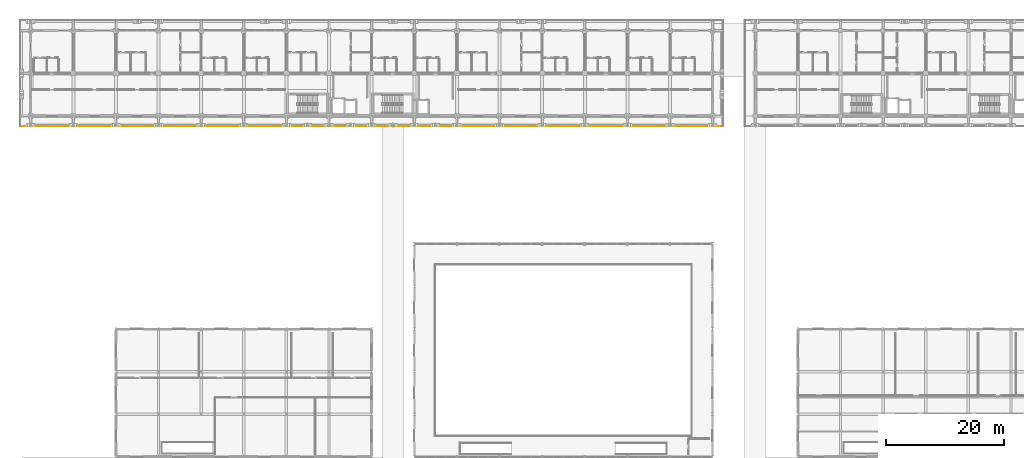
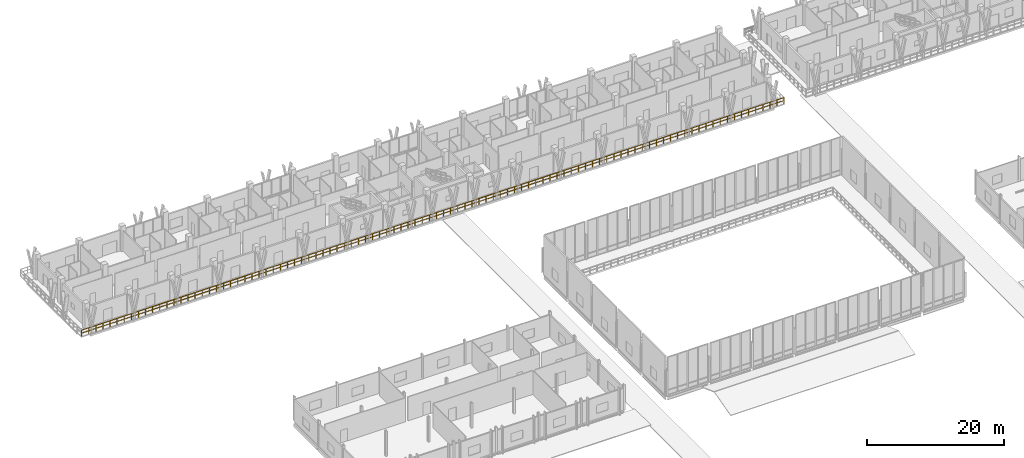
# One storey, part 99 of 110: 1 railing.
"""IFC4 building model written with IfcOpenShell, lengths in metres."""

from ifc_helpers import new_model, si_unit, direction, frame, origin, origin_2d, place, context, subcontext, project, spatial, rectangle, extrude, material, type_object, element, save


model = new_model("IFC4")

# Units and contexts
model_context = context("Model", 3, precision=1e-05, world=origin(), true_north=direction((0.0, 1.0)))
body_context = subcontext(model_context, "Body", "Model", "MODEL_VIEW")
ifc_project = project(units=[si_unit("LENGTHUNIT", "METRE"), si_unit("AREAUNIT", "SQUARE_METRE"), si_unit("VOLUMEUNIT", "CUBIC_METRE"), si_unit("PLANEANGLEUNIT", "RADIAN"), si_unit("MASSUNIT", "GRAM", prefix="KILO")], contexts=[model_context])

# Site, building, storey
site_placement = place(None, origin())
site = spatial("IfcSite", under=ifc_project, at=site_placement, CompositionType="ELEMENT")
building_placement = place(site_placement, origin())
building = spatial("IfcBuilding", under=site, at=building_placement, Name="Suanplinth Sawtooth Commons", CompositionType="ELEMENT")
storey_placement = place(building_placement, frame((0.0, 0.0, 4.5)))
storey = spatial("IfcBuildingStorey", under=building, at=storey_placement, Name="L01", CompositionType="ELEMENT", Elevation=4.5)

# Railing
ifc_material = material(Name="Powder-coated galvanized steel", Category="steel")
railing_type = type_object("IfcRailingType", Name="GR-01", PredefinedType="BALUSTRADE", material=ifc_material)
railing_placement = place(storey_placement, frame((116.93994140625, 106.260009765625, 0.0)))
element("IfcRailing", 1, at=railing_placement, inside=storey, type_object=railing_type, Name="L01 Block A Perimeter Balustrade 4", PredefinedType="BALUSTRADE", context=body_context, shape_type="SweptSolid", body=[
    extrude(rectangle(XDim=0.048095703125, YDim=0.048095703125, at=origin_2d()), frame((0.0, 0.0, 1.09619140625), z_axis=(-1.0, 0.0, 0.0), x_axis=(0.0, -1.0, 0.0)), (0.0, 0.0, 1.0), 118.679931640625),
    extrude(rectangle(XDim=0.03369140625, YDim=0.03369140625, at=origin_2d()), frame((0.0, 0.0, 0.56005859375), z_axis=(-1.0, 0.0, 0.0), x_axis=(0.0, -1.0, 0.0)), (0.0, 0.0, 1.0), 118.679931640625),
    extrude(rectangle(XDim=0.0419921875, YDim=0.0419921875, at=origin_2d()), origin(), (0.0, 0.0, 1.0), 1.072021484375),
    extrude(rectangle(XDim=0.0419921875, YDim=0.0419921875, at=origin_2d()), frame((-1.19873046875, 0.0, 0.0)), (0.0, 0.0, 1.0), 1.072021484375),
    extrude(rectangle(XDim=0.0419921875, YDim=0.0419921875, at=origin_2d()), frame((-2.3974609375, 0.0, 0.0)), (0.0, 0.0, 1.0), 1.072021484375),
    extrude(rectangle(XDim=0.0419921875, YDim=0.0419921875, at=origin_2d()), frame((-3.596435546875, 0.0, 0.0)), (0.0, 0.0, 1.0), 1.072021484375),
    extrude(rectangle(XDim=0.0419921875, YDim=0.0419921875, at=origin_2d()), frame((-4.795166015625, 0.0, 0.0)), (0.0, 0.0, 1.0), 1.072021484375),
    extrude(rectangle(XDim=0.0419921875, YDim=0.0419921875, at=origin_2d()), frame((-5.993896484375, 0.0, 0.0)), (0.0, 0.0, 1.0), 1.072021484375),
    extrude(rectangle(XDim=0.0419921875, YDim=0.0419921875, at=origin_2d()), frame((-7.192626953125, 0.0, 0.0)), (0.0, 0.0, 1.0), 1.072021484375),
    extrude(rectangle(XDim=0.0419921875, YDim=0.0419921875, at=origin_2d()), frame((-8.3916015625, 0.0, 0.0)), (0.0, 0.0, 1.0), 1.072021484375),
    extrude(rectangle(XDim=0.0419921875, YDim=0.0419921875, at=origin_2d()), frame((-9.59033203125, 0.0, 0.0)), (0.0, 0.0, 1.0), 1.072021484375),
    extrude(rectangle(XDim=0.0419921875, YDim=0.0419921875, at=origin_2d()), frame((-10.7890625, 0.0, 0.0)), (0.0, 0.0, 1.0), 1.072021484375),
    extrude(rectangle(XDim=0.0419921875, YDim=0.0419921875, at=origin_2d()), frame((-11.98779296875, 0.0, 0.0)), (0.0, 0.0, 1.0), 1.072021484375),
    extrude(rectangle(XDim=0.0419921875, YDim=0.0419921875, at=origin_2d()), frame((-13.186767578125, 0.0, 0.0)), (0.0, 0.0, 1.0), 1.072021484375),
    extrude(rectangle(XDim=0.0419921875, YDim=0.0419921875, at=origin_2d()), frame((-14.385498046875, 0.0, 0.0)), (0.0, 0.0, 1.0), 1.072021484375),
    extrude(rectangle(XDim=0.0419921875, YDim=0.0419921875, at=origin_2d()), frame((-15.584228515625, 0.0, 0.0)), (0.0, 0.0, 1.0), 1.072021484375),
    extrude(rectangle(XDim=0.0419921875, YDim=0.0419921875, at=origin_2d()), frame((-16.782958984375, 0.0, 0.0)), (0.0, 0.0, 1.0), 1.072021484375),
    extrude(rectangle(XDim=0.0419921875, YDim=0.0419921875, at=origin_2d()), frame((-17.981689453125, 0.0, 0.0)), (0.0, 0.0, 1.0), 1.072021484375),
    extrude(rectangle(XDim=0.0419921875, YDim=0.0419921875, at=origin_2d()), frame((-19.1806640625, 0.0, 0.0)), (0.0, 0.0, 1.0), 1.072021484375),
    extrude(rectangle(XDim=0.0419921875, YDim=0.0419921875, at=origin_2d()), frame((-20.37939453125, 0.0, 0.0)), (0.0, 0.0, 1.0), 1.072021484375),
    extrude(rectangle(XDim=0.0419921875, YDim=0.0419921875, at=origin_2d()), frame((-21.578125, 0.0, 0.0)), (0.0, 0.0, 1.0), 1.072021484375),
    extrude(rectangle(XDim=0.0419921875, YDim=0.0419921875, at=origin_2d()), frame((-22.77685546875, 0.0, 0.0)), (0.0, 0.0, 1.0), 1.072021484375),
    extrude(rectangle(XDim=0.0419921875, YDim=0.0419921875, at=origin_2d()), frame((-23.975830078125, 0.0, 0.0)), (0.0, 0.0, 1.0), 1.072021484375),
    extrude(rectangle(XDim=0.0419921875, YDim=0.0419921875, at=origin_2d()), frame((-25.174560546875, 0.0, 0.0)), (0.0, 0.0, 1.0), 1.072021484375),
    extrude(rectangle(XDim=0.0419921875, YDim=0.0419921875, at=origin_2d()), frame((-26.373291015625, 0.0, 0.0)), (0.0, 0.0, 1.0), 1.072021484375),
    extrude(rectangle(XDim=0.0419921875, YDim=0.0419921875, at=origin_2d()), frame((-27.572021484375, 0.0, 0.0)), (0.0, 0.0, 1.0), 1.072021484375),
    extrude(rectangle(XDim=0.0419921875, YDim=0.0419921875, at=origin_2d()), frame((-28.77099609375, 0.0, 0.0)), (0.0, 0.0, 1.0), 1.072021484375),
    extrude(rectangle(XDim=0.0419921875, YDim=0.0419921875, at=origin_2d()), frame((-29.9697265625, 0.0, 0.0)), (0.0, 0.0, 1.0), 1.072021484375),
    extrude(rectangle(XDim=0.0419921875, YDim=0.0419921875, at=origin_2d()), frame((-31.16845703125, 0.0, 0.0)), (0.0, 0.0, 1.0), 1.072021484375),
    extrude(rectangle(XDim=0.0419921875, YDim=0.0419921875, at=origin_2d()), frame((-32.3671875, 0.0, 0.0)), (0.0, 0.0, 1.0), 1.072021484375),
    extrude(rectangle(XDim=0.0419921875, YDim=0.0419921875, at=origin_2d()), frame((-33.566162109375, 0.0, 0.0)), (0.0, 0.0, 1.0), 1.072021484375),
    extrude(rectangle(XDim=0.0419921875, YDim=0.0419921875, at=origin_2d()), frame((-34.764892578125, 0.0, 0.0)), (0.0, 0.0, 1.0), 1.072021484375),
    extrude(rectangle(XDim=0.0419921875, YDim=0.0419921875, at=origin_2d()), frame((-35.963623046875, 0.0, 0.0)), (0.0, 0.0, 1.0), 1.072021484375),
    extrude(rectangle(XDim=0.0419921875, YDim=0.0419921875, at=origin_2d()), frame((-37.162353515625, 0.0, 0.0)), (0.0, 0.0, 1.0), 1.072021484375),
    extrude(rectangle(XDim=0.0419921875, YDim=0.0419921875, at=origin_2d()), frame((-38.361083984375, 0.0, 0.0)), (0.0, 0.0, 1.0), 1.072021484375),
    extrude(rectangle(XDim=0.0419921875, YDim=0.0419921875, at=origin_2d()), frame((-39.56005859375, 0.0, 0.0)), (0.0, 0.0, 1.0), 1.072021484375),
    extrude(rectangle(XDim=0.0419921875, YDim=0.0419921875, at=origin_2d()), frame((-40.7587890625, 0.0, 0.0)), (0.0, 0.0, 1.0), 1.072021484375),
    extrude(rectangle(XDim=0.0419921875, YDim=0.0419921875, at=origin_2d()), frame((-41.95751953125, 0.0, 0.0)), (0.0, 0.0, 1.0), 1.072021484375),
    extrude(rectangle(XDim=0.0419921875, YDim=0.0419921875, at=origin_2d()), frame((-43.15625, 0.0, 0.0)), (0.0, 0.0, 1.0), 1.072021484375),
    extrude(rectangle(XDim=0.0419921875, YDim=0.0419921875, at=origin_2d()), frame((-44.355224609375, 0.0, 0.0)), (0.0, 0.0, 1.0), 1.072021484375),
    extrude(rectangle(XDim=0.0419921875, YDim=0.0419921875, at=origin_2d()), frame((-45.553955078125, 0.0, 0.0)), (0.0, 0.0, 1.0), 1.072021484375),
    extrude(rectangle(XDim=0.0419921875, YDim=0.0419921875, at=origin_2d()), frame((-46.752685546875, 0.0, 0.0)), (0.0, 0.0, 1.0), 1.072021484375),
    extrude(rectangle(XDim=0.0419921875, YDim=0.0419921875, at=origin_2d()), frame((-47.951416015625, 0.0, 0.0)), (0.0, 0.0, 1.0), 1.072021484375),
    extrude(rectangle(XDim=0.0419921875, YDim=0.0419921875, at=origin_2d()), frame((-49.150390625, 0.0, 0.0)), (0.0, 0.0, 1.0), 1.072021484375),
    extrude(rectangle(XDim=0.0419921875, YDim=0.0419921875, at=origin_2d()), frame((-50.34912109375, 0.0, 0.0)), (0.0, 0.0, 1.0), 1.072021484375),
    extrude(rectangle(XDim=0.0419921875, YDim=0.0419921875, at=origin_2d()), frame((-51.5478515625, 0.0, 0.0)), (0.0, 0.0, 1.0), 1.072021484375),
    extrude(rectangle(XDim=0.0419921875, YDim=0.0419921875, at=origin_2d()), frame((-52.74658203125, 0.0, 0.0)), (0.0, 0.0, 1.0), 1.072021484375),
    extrude(rectangle(XDim=0.0419921875, YDim=0.0419921875, at=origin_2d()), frame((-53.9453125, 0.0, 0.0)), (0.0, 0.0, 1.0), 1.072021484375),
    extrude(rectangle(XDim=0.0419921875, YDim=0.0419921875, at=origin_2d()), frame((-55.144287109375, 0.0, 0.0)), (0.0, 0.0, 1.0), 1.072021484375),
    extrude(rectangle(XDim=0.0419921875, YDim=0.0419921875, at=origin_2d()), frame((-56.343017578125, 0.0, 0.0)), (0.0, 0.0, 1.0), 1.072021484375),
    extrude(rectangle(XDim=0.0419921875, YDim=0.0419921875, at=origin_2d()), frame((-57.541748046875, 0.0, 0.0)), (0.0, 0.0, 1.0), 1.072021484375),
    extrude(rectangle(XDim=0.0419921875, YDim=0.0419921875, at=origin_2d()), frame((-58.740478515625, 0.0, 0.0)), (0.0, 0.0, 1.0), 1.072021484375),
    extrude(rectangle(XDim=0.0419921875, YDim=0.0419921875, at=origin_2d()), frame((-59.939453125, 0.0, 0.0)), (0.0, 0.0, 1.0), 1.072021484375),
    extrude(rectangle(XDim=0.0419921875, YDim=0.0419921875, at=origin_2d()), frame((-61.13818359375, 0.0, 0.0)), (0.0, 0.0, 1.0), 1.072021484375),
    extrude(rectangle(XDim=0.0419921875, YDim=0.0419921875, at=origin_2d()), frame((-62.3369140625, 0.0, 0.0)), (0.0, 0.0, 1.0), 1.072021484375),
    extrude(rectangle(XDim=0.0419921875, YDim=0.0419921875, at=origin_2d()), frame((-63.53564453125, 0.0, 0.0)), (0.0, 0.0, 1.0), 1.072021484375),
    extrude(rectangle(XDim=0.0419921875, YDim=0.0419921875, at=origin_2d()), frame((-64.734619140625, 0.0, 0.0)), (0.0, 0.0, 1.0), 1.072021484375),
    extrude(rectangle(XDim=0.0419921875, YDim=0.0419921875, at=origin_2d()), frame((-65.933349609375, 0.0, 0.0)), (0.0, 0.0, 1.0), 1.072021484375),
    extrude(rectangle(XDim=0.0419921875, YDim=0.0419921875, at=origin_2d()), frame((-67.132080078125, 0.0, 0.0)), (0.0, 0.0, 1.0), 1.072021484375),
    extrude(rectangle(XDim=0.0419921875, YDim=0.0419921875, at=origin_2d()), frame((-68.330810546875, 0.0, 0.0)), (0.0, 0.0, 1.0), 1.072021484375),
    extrude(rectangle(XDim=0.0419921875, YDim=0.0419921875, at=origin_2d()), frame((-69.529541015625, 0.0, 0.0)), (0.0, 0.0, 1.0), 1.072021484375),
    extrude(rectangle(XDim=0.0419921875, YDim=0.0419921875, at=origin_2d()), frame((-70.728515625, 0.0, 0.0)), (0.0, 0.0, 1.0), 1.072021484375),
    extrude(rectangle(XDim=0.0419921875, YDim=0.0419921875, at=origin_2d()), frame((-71.92724609375, 0.0, 0.0)), (0.0, 0.0, 1.0), 1.072021484375),
    extrude(rectangle(XDim=0.0419921875, YDim=0.0419921875, at=origin_2d()), frame((-73.1259765625, 0.0, 0.0)), (0.0, 0.0, 1.0), 1.072021484375),
    extrude(rectangle(XDim=0.0419921875, YDim=0.0419921875, at=origin_2d()), frame((-74.32470703125, 0.0, 0.0)), (0.0, 0.0, 1.0), 1.072021484375),
    extrude(rectangle(XDim=0.0419921875, YDim=0.0419921875, at=origin_2d()), frame((-75.523681640625, 0.0, 0.0)), (0.0, 0.0, 1.0), 1.072021484375),
    extrude(rectangle(XDim=0.0419921875, YDim=0.0419921875, at=origin_2d()), frame((-76.722412109375, 0.0, 0.0)), (0.0, 0.0, 1.0), 1.072021484375),
    extrude(rectangle(XDim=0.0419921875, YDim=0.0419921875, at=origin_2d()), frame((-77.921142578125, 0.0, 0.0)), (0.0, 0.0, 1.0), 1.072021484375),
    extrude(rectangle(XDim=0.0419921875, YDim=0.0419921875, at=origin_2d()), frame((-79.119873046875, 0.0, 0.0)), (0.0, 0.0, 1.0), 1.072021484375),
    extrude(rectangle(XDim=0.0419921875, YDim=0.0419921875, at=origin_2d()), frame((-80.31884765625, 0.0, 0.0)), (0.0, 0.0, 1.0), 1.072021484375),
    extrude(rectangle(XDim=0.0419921875, YDim=0.0419921875, at=origin_2d()), frame((-81.517578125, 0.0, 0.0)), (0.0, 0.0, 1.0), 1.072021484375),
    extrude(rectangle(XDim=0.0419921875, YDim=0.0419921875, at=origin_2d()), frame((-82.71630859375, 0.0, 0.0)), (0.0, 0.0, 1.0), 1.072021484375),
    extrude(rectangle(XDim=0.0419921875, YDim=0.0419921875, at=origin_2d()), frame((-83.9150390625, 0.0, 0.0)), (0.0, 0.0, 1.0), 1.072021484375),
    extrude(rectangle(XDim=0.0419921875, YDim=0.0419921875, at=origin_2d()), frame((-85.11376953125, 0.0, 0.0)), (0.0, 0.0, 1.0), 1.072021484375),
    extrude(rectangle(XDim=0.0419921875, YDim=0.0419921875, at=origin_2d()), frame((-86.312744140625, 0.0, 0.0)), (0.0, 0.0, 1.0), 1.072021484375),
    extrude(rectangle(XDim=0.0419921875, YDim=0.0419921875, at=origin_2d()), frame((-87.511474609375, 0.0, 0.0)), (0.0, 0.0, 1.0), 1.072021484375),
    extrude(rectangle(XDim=0.0419921875, YDim=0.0419921875, at=origin_2d()), frame((-88.710205078125, 0.0, 0.0)), (0.0, 0.0, 1.0), 1.072021484375),
    extrude(rectangle(XDim=0.0419921875, YDim=0.0419921875, at=origin_2d()), frame((-89.908935546875, 0.0, 0.0)), (0.0, 0.0, 1.0), 1.072021484375),
    extrude(rectangle(XDim=0.0419921875, YDim=0.0419921875, at=origin_2d()), frame((-91.10791015625, 0.0, 0.0)), (0.0, 0.0, 1.0), 1.072021484375),
    extrude(rectangle(XDim=0.0419921875, YDim=0.0419921875, at=origin_2d()), frame((-92.306640625, 0.0, 0.0)), (0.0, 0.0, 1.0), 1.072021484375),
    extrude(rectangle(XDim=0.0419921875, YDim=0.0419921875, at=origin_2d()), frame((-93.50537109375, 0.0, 0.0)), (0.0, 0.0, 1.0), 1.072021484375),
    extrude(rectangle(XDim=0.0419921875, YDim=0.0419921875, at=origin_2d()), frame((-94.7041015625, 0.0, 0.0)), (0.0, 0.0, 1.0), 1.072021484375),
    extrude(rectangle(XDim=0.0419921875, YDim=0.0419921875, at=origin_2d()), frame((-95.903076171875, 0.0, 0.0)), (0.0, 0.0, 1.0), 1.072021484375),
    extrude(rectangle(XDim=0.0419921875, YDim=0.0419921875, at=origin_2d()), frame((-97.101806640625, 0.0, 0.0)), (0.0, 0.0, 1.0), 1.072021484375),
    extrude(rectangle(XDim=0.0419921875, YDim=0.0419921875, at=origin_2d()), frame((-98.300537109375, 0.0, 0.0)), (0.0, 0.0, 1.0), 1.072021484375),
    extrude(rectangle(XDim=0.0419921875, YDim=0.0419921875, at=origin_2d()), frame((-99.499267578125, 0.0, 0.0)), (0.0, 0.0, 1.0), 1.072021484375),
    extrude(rectangle(XDim=0.0419921875, YDim=0.0419921875, at=origin_2d()), frame((-100.6982421875, 0.0, 0.0)), (0.0, 0.0, 1.0), 1.072021484375),
    extrude(rectangle(XDim=0.0419921875, YDim=0.0419921875, at=origin_2d()), frame((-101.89697265625, 0.0, 0.0)), (0.0, 0.0, 1.0), 1.072021484375),
    extrude(rectangle(XDim=0.0419921875, YDim=0.0419921875, at=origin_2d()), frame((-103.095703125, 0.0, 0.0)), (0.0, 0.0, 1.0), 1.072021484375),
    extrude(rectangle(XDim=0.0419921875, YDim=0.0419921875, at=origin_2d()), frame((-104.29443359375, 0.0, 0.0)), (0.0, 0.0, 1.0), 1.072021484375),
    extrude(rectangle(XDim=0.0419921875, YDim=0.0419921875, at=origin_2d()), frame((-105.4931640625, 0.0, 0.0)), (0.0, 0.0, 1.0), 1.072021484375),
    extrude(rectangle(XDim=0.0419921875, YDim=0.0419921875, at=origin_2d()), frame((-106.692138671875, 0.0, 0.0)), (0.0, 0.0, 1.0), 1.072021484375),
    extrude(rectangle(XDim=0.0419921875, YDim=0.0419921875, at=origin_2d()), frame((-107.890869140625, 0.0, 0.0)), (0.0, 0.0, 1.0), 1.072021484375),
    extrude(rectangle(XDim=0.0419921875, YDim=0.0419921875, at=origin_2d()), frame((-109.089599609375, 0.0, 0.0)), (0.0, 0.0, 1.0), 1.072021484375),
    extrude(rectangle(XDim=0.0419921875, YDim=0.0419921875, at=origin_2d()), frame((-110.288330078125, 0.0, 0.0)), (0.0, 0.0, 1.0), 1.072021484375),
    extrude(rectangle(XDim=0.0419921875, YDim=0.0419921875, at=origin_2d()), frame((-111.4873046875, 0.0, 0.0)), (0.0, 0.0, 1.0), 1.072021484375),
    extrude(rectangle(XDim=0.0419921875, YDim=0.0419921875, at=origin_2d()), frame((-112.68603515625, 0.0, 0.0)), (0.0, 0.0, 1.0), 1.072021484375),
    extrude(rectangle(XDim=0.0419921875, YDim=0.0419921875, at=origin_2d()), frame((-113.884765625, 0.0, 0.0)), (0.0, 0.0, 1.0), 1.072021484375),
    extrude(rectangle(XDim=0.0419921875, YDim=0.0419921875, at=origin_2d()), frame((-115.08349609375, 0.0, 0.0)), (0.0, 0.0, 1.0), 1.072021484375),
    extrude(rectangle(XDim=0.0419921875, YDim=0.0419921875, at=origin_2d()), frame((-116.282470703125, 0.0, 0.0)), (0.0, 0.0, 1.0), 1.072021484375),
    extrude(rectangle(XDim=0.0419921875, YDim=0.0419921875, at=origin_2d()), frame((-117.481201171875, 0.0, 0.0)), (0.0, 0.0, 1.0), 1.072021484375),
    extrude(rectangle(XDim=0.0419921875, YDim=0.0419921875, at=origin_2d()), frame((-118.679931640625, 0.0, 0.0)), (0.0, 0.0, 1.0), 1.072021484375),
])

save(model, "model.ifc")
